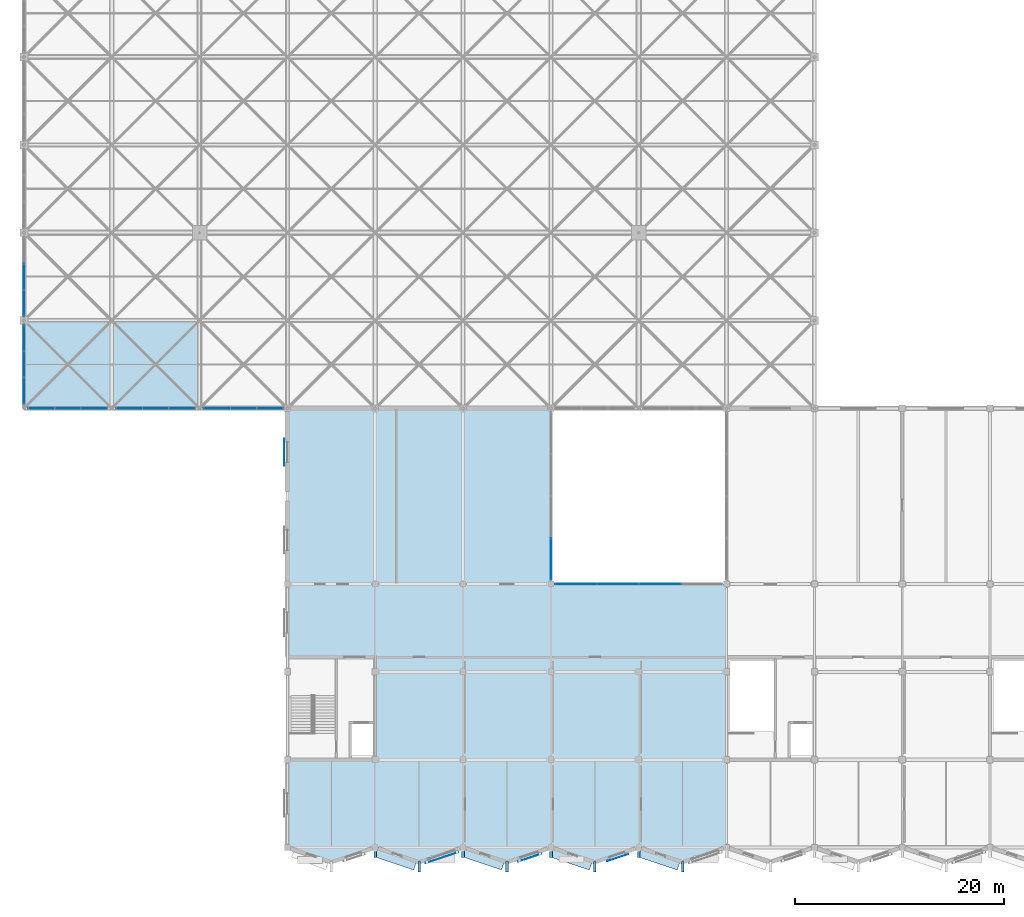
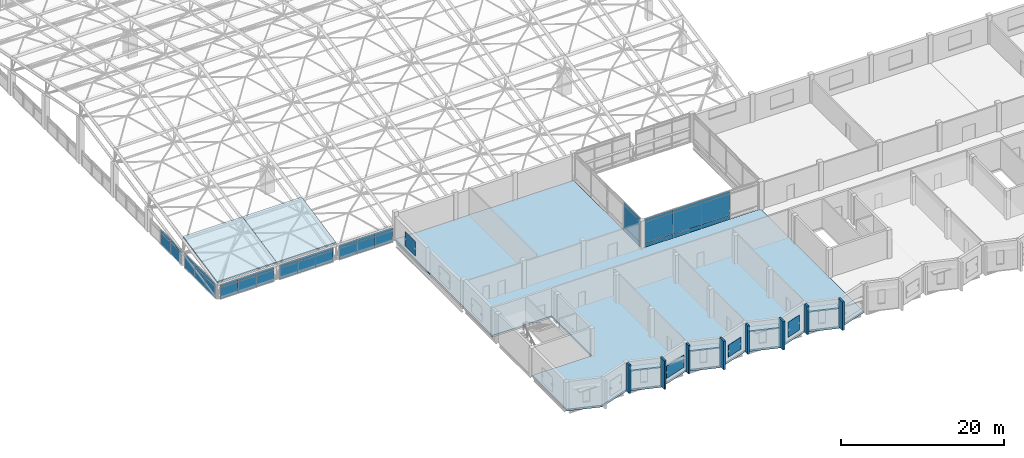
# One storey, part 67 of 81: 56 plates, 3 slabs, 7 elements without a shape of their own.
"""IFC4 building model written with IfcOpenShell, lengths in metres."""

from ifc_helpers import new_model, si_unit, direction, frame, frame_2d, origin, place, context, subcontext, project, spatial, polyline, rectangle, outline, extrude, material, layer, layer_set, type_object, element, aggregate, save


model = new_model("IFC4")

# Units and contexts
model_context = context("Model", 3, precision=1e-05, world=origin(), true_north=direction((0.0, 1.0)))
body_context = subcontext(model_context, "Body", "Model", "MODEL_VIEW")
ifc_project = project(units=[si_unit("LENGTHUNIT", "METRE"), si_unit("AREAUNIT", "SQUARE_METRE"), si_unit("VOLUMEUNIT", "CUBIC_METRE"), si_unit("PLANEANGLEUNIT", "RADIAN"), si_unit("MASSUNIT", "GRAM", prefix="KILO")], contexts=[model_context])

# Site, building, storey
site_placement = place(None, origin())
site = spatial("IfcSite", under=ifc_project, at=site_placement, CompositionType="ELEMENT")
building_placement = place(site_placement, origin())
building = spatial("IfcBuilding", under=site, at=building_placement, Name="Qawsi Khor Wholesale Market", CompositionType="ELEMENT")
storey_placement = place(building_placement, frame((0.0, 0.0, 16.199951171875)))
storey = spatial("IfcBuildingStorey", under=building, at=storey_placement, Name="L03", CompositionType="ELEMENT", Elevation=16.199951171875)

# Curtain wall, plates
ifc_material_1 = material(Name="Aluminium Anodised Bronze", Category="aluminium")
ifc_layer_1 = layer(ifc_material_1, 0.179931640625, Name="Aluminium Anodised Bronze")
ifc_layer_set_1 = layer_set([ifc_layer_1], Name="Aluminium Anodised Bronze")
curtain_wall_type_1 = type_object("IfcCurtainWallType", Name="Atrium Full-Height Curtain Wall CW-02", PredefinedType="NOTDEFINED", material=ifc_layer_set_1)
curtain_wall_1_placement = place(storey_placement, origin())
curtain_wall_1 = element("IfcCurtainWall", 1, at=curtain_wall_1_placement, inside=storey, type_object=curtain_wall_type_1, Name="Curtain wall CW-CW-02-L03-026", PredefinedType="NOTDEFINED")
ifc_material_2 = material(Name="Anodised Aluminium Spandrel", Category="aluminium")
ifc_layer_2 = layer(ifc_material_2, 0.06494140625, Name="Anodised Aluminium Spandrel")
ifc_layer_set_2 = layer_set([ifc_layer_2], Name="Anodised Aluminium Spandrel")
plate_type_1 = type_object("IfcPlateType", Name="Insulated Spandrel Panel CW-02 65mm", PredefinedType="CURTAIN_PANEL", material=ifc_layer_set_2)
plate_1_placement = place(storey_placement, frame((50.794921875, 25.199951171875, 0.005126953125), z_axis=(0.0, 0.0, 1.0), x_axis=(1.0, 0.0, 0.0)))
plate_1 = element("IfcPlate", 2, at=plate_1_placement, type_object=plate_type_1, Name="Curtain panel CW-CW-02-L03-026-P0_00", PredefinedType="CURTAIN_PANEL", context=body_context, shape_type="SweptSolid", body=[
    extrude(rectangle(XDim=4.002685546875, YDim=0.06494140625, at=frame_2d((2.00146484375, 0.0))), origin(), (0.0, 0.0, 1.0), 0.58984375),
])
plate_2_placement = place(storey_placement, frame((54.797607421875, 25.199951171875, 0.005126953125), z_axis=(0.0, 0.0, 1.0), x_axis=(1.0, 0.0, 0.0)))
plate_2 = element("IfcPlate", 3, at=plate_2_placement, type_object=plate_type_1, Name="Curtain panel CW-CW-02-L03-026-P0_01", PredefinedType="CURTAIN_PANEL", context=body_context, shape_type="SweptSolid", body=[
    extrude(rectangle(XDim=4.00244140625, YDim=0.06494140625, at=frame_2d((2.001220703125, 0.0))), origin(), (0.0, 0.0, 1.0), 0.58984375),
])
plate_3_placement = place(storey_placement, frame((58.800048828125, 25.199951171875, 0.005126953125), z_axis=(0.0, 0.0, 1.0), x_axis=(1.0, 0.0, 0.0)))
plate_3 = element("IfcPlate", 4, at=plate_3_placement, type_object=plate_type_1, Name="Curtain panel CW-CW-02-L03-026-P0_02", PredefinedType="CURTAIN_PANEL", context=body_context, shape_type="SweptSolid", body=[
    extrude(rectangle(XDim=4.00244140625, YDim=0.06494140625, at=frame_2d((2.001220703125, 0.0))), origin(), (0.0, 0.0, 1.0), 0.58984375),
])

# Curtain wall, plate
curtain_wall_2_placement = place(storey_placement, origin())
curtain_wall_2 = element("IfcCurtainWall", 5, at=curtain_wall_2_placement, inside=storey, type_object=curtain_wall_type_1, Name="Curtain wall CW-CW-02-L03-029", PredefinedType="NOTDEFINED")
plate_4_placement = place(storey_placement, frame((50.39990234375, 25.594970703125, 0.005126953125), z_axis=(0.0, 0.0, 1.0), x_axis=(0.0, 1.0, 0.0)))
plate_4 = element("IfcPlate", 6, at=plate_4_placement, type_object=plate_type_1, Name="Curtain panel CW-CW-02-L03-029-P0_00", PredefinedType="CURTAIN_PANEL", context=body_context, shape_type="SweptSolid", body=[
    extrude(rectangle(XDim=4.00244140625, YDim=0.06494140625, at=frame_2d((2.001220703125, 0.0))), origin(), (0.0, 0.0, 1.0), 0.58984375),
])

# Plates
ifc_material_3 = material(Name="Perforated Bronze-Anodised Aluminium", Category="aluminium")
ifc_layer_3 = layer(ifc_material_3, 0.02001953125, Name="Perforated Bronze-Anodised Aluminium")
ifc_layer_set_3 = layer_set([ifc_layer_3], Name="Perforated Bronze-Anodised Aluminium")
plate_type_2 = type_object("IfcPlateType", Name="Perforated Bronze Mashrabiya Screen 20mm", PredefinedType="SHEET", material=ifc_layer_set_3)
plate_5_placement = place(storey_placement, frame((24.885009765625, 36.52490234375, 0.900146484375), z_axis=(0.0, 0.0, 1.0), x_axis=(0.0, 1.0, 0.0)))
element("IfcPlate", 7, at=plate_5_placement, inside=storey, type_object=plate_type_2, Name="Solar mashrabiya screen 067", PredefinedType="SHEET", context=body_context, shape_type="SweptSolid", body=[
    extrude(rectangle(XDim=2.550048828125, YDim=0.02001953125, at=frame_2d((1.27490234375, 0.0))), origin(), (0.0, 0.0, 1.0), 2.14990234375),
])
ifc_layer_4 = layer(ifc_material_3, 0.028076171875, Name="Perforated Bronze-Anodised Aluminium")
ifc_layer_set_4 = layer_set([ifc_layer_4], Name="Perforated Bronze-Anodised Aluminium")
plate_type_3 = type_object("IfcPlateType", Name="Perforated Bronze Mashrabiya Screen 28mm", PredefinedType="SHEET", material=ifc_layer_set_4)
plate_6_placement = place(storey_placement, frame((41.55615234375, -0.448486328125, 0.85009765625), z_axis=(0.0, 0.0, 1.0), x_axis=(-0.948698092678, -0.316183378673, 0.0)))
element("IfcPlate", 8, at=plate_6_placement, inside=storey, type_object=plate_type_3, Name="Solar mashrabiya screen 042", PredefinedType="SHEET", context=body_context, shape_type="SweptSolid", body=[
    extrude(rectangle(XDim=3.300048828125, YDim=0.028076171875, at=frame_2d((1.64990234375, 0.0))), origin(), (0.0, 0.0, 1.0), 1.849853515625),
])
plate_7_placement = place(storey_placement, frame((49.4912109375, -0.603271484375, 0.85009765625), z_axis=(0.0, 0.0, 1.0), x_axis=(-0.948683298051, -0.316227766017, 0.0)))
element("IfcPlate", 9, at=plate_7_placement, inside=storey, type_object=plate_type_3, Name="Solar mashrabiya screen 043", PredefinedType="SHEET", context=body_context, shape_type="SweptSolid", body=[
    extrude(rectangle(XDim=2.320068359375, YDim=0.028076171875, at=frame_2d((1.16015625, 0.0))), origin(), (0.0, 0.0, 1.0), 1.800048828125),
])
plate_8_placement = place(storey_placement, frame((57.786865234375, -0.63818359375, 0.85009765625), z_axis=(0.0, 0.0, 1.0), x_axis=(-0.948683298051, -0.316227766017, 0.0)))
element("IfcPlate", 10, at=plate_8_placement, inside=storey, type_object=plate_type_3, Name="Solar mashrabiya screen 044", PredefinedType="SHEET", context=body_context, shape_type="SweptSolid", body=[
    extrude(rectangle(XDim=2.099853515625, YDim=0.028076171875, at=frame_2d((1.0498046875, 0.0))), origin(), (0.0, 0.0, 1.0), 2.25),
])
ifc_material_4 = material(Name="Concrete C40/50", Category="concrete")
ifc_layer_5 = layer(ifc_material_4, 0.260009765625, Name="Concrete C40/50")
ifc_layer_set_5 = layer_set([ifc_layer_5], Name="Concrete C40/50")
plate_type_4 = type_object("IfcPlateType", Name="Sculpted Concrete Solar Buttress Fin 260", PredefinedType="SHEET", material=ifc_layer_set_5)
plate_9_placement = place(storey_placement, frame((33.60009765625, -0.949951171875, 0.0), z_axis=(0.0, 0.0, 1.0), x_axis=(0.0, 1.0, 0.0)))
element("IfcPlate", 11, at=plate_9_placement, inside=storey, type_object=plate_type_4, Name="Boulevard concrete solar buttress fin L03-02", PredefinedType="SHEET", context=body_context, shape_type="SweptSolid", body=[
    extrude(rectangle(XDim=0.570068359375, YDim=0.260009765625, at=frame_2d((0.28515625, 0.0))), origin(), (0.0, 0.0, 1.0), 4.260009765625),
])
plate_10_placement = place(storey_placement, frame((37.800048828125, -2.35009765625, 0.0), z_axis=(0.0, 0.0, 1.0), x_axis=(0.0, 1.0, 0.0)))
element("IfcPlate", 12, at=plate_10_placement, inside=storey, type_object=plate_type_4, Name="Boulevard concrete solar buttress fin L03-03", PredefinedType="SHEET", context=body_context, shape_type="SweptSolid", body=[
    extrude(rectangle(XDim=1.0, YDim=0.260009765625, at=frame_2d((0.5, 0.0))), origin(), (0.0, 0.0, 1.0), 4.260009765625),
])
plate_11_placement = place(storey_placement, frame((42.0, -0.949951171875, 0.0), z_axis=(0.0, 0.0, 1.0), x_axis=(0.0, 1.0, 0.0)))
element("IfcPlate", 13, at=plate_11_placement, inside=storey, type_object=plate_type_4, Name="Boulevard concrete solar buttress fin L03-04", PredefinedType="SHEET", context=body_context, shape_type="SweptSolid", body=[
    extrude(rectangle(XDim=0.570068359375, YDim=0.260009765625, at=frame_2d((0.28515625, 0.0))), origin(), (0.0, 0.0, 1.0), 4.260009765625),
])
plate_12_placement = place(storey_placement, frame((46.199951171875, -2.35009765625, 0.0), z_axis=(0.0, 0.0, 1.0), x_axis=(0.0, 1.0, 0.0)))
element("IfcPlate", 14, at=plate_12_placement, inside=storey, type_object=plate_type_4, Name="Boulevard concrete solar buttress fin L03-05", PredefinedType="SHEET", context=body_context, shape_type="SweptSolid", body=[
    extrude(rectangle(XDim=1.0, YDim=0.260009765625, at=frame_2d((0.5, 0.0))), origin(), (0.0, 0.0, 1.0), 4.260009765625),
])
plate_13_placement = place(storey_placement, frame((50.39990234375, -0.949951171875, 0.0), z_axis=(0.0, 0.0, 1.0), x_axis=(0.0, 1.0, 0.0)))
element("IfcPlate", 15, at=plate_13_placement, inside=storey, type_object=plate_type_4, Name="Boulevard concrete solar buttress fin L03-06", PredefinedType="SHEET", context=body_context, shape_type="SweptSolid", body=[
    extrude(rectangle(XDim=0.570068359375, YDim=0.260009765625, at=frame_2d((0.28515625, 0.0))), origin(), (0.0, 0.0, 1.0), 4.260009765625),
])
plate_14_placement = place(storey_placement, frame((54.60009765625, -2.35009765625, 0.0), z_axis=(0.0, 0.0, 1.0), x_axis=(0.0, 1.0, 0.0)))
element("IfcPlate", 16, at=plate_14_placement, inside=storey, type_object=plate_type_4, Name="Boulevard concrete solar buttress fin L03-07", PredefinedType="SHEET", context=body_context, shape_type="SweptSolid", body=[
    extrude(rectangle(XDim=1.0, YDim=0.260009765625, at=frame_2d((0.5, 0.0))), origin(), (0.0, 0.0, 1.0), 4.260009765625),
])
plate_15_placement = place(storey_placement, frame((58.800048828125, -0.949951171875, 0.0), z_axis=(0.0, 0.0, 1.0), x_axis=(0.0, 1.0, 0.0)))
element("IfcPlate", 17, at=plate_15_placement, inside=storey, type_object=plate_type_4, Name="Boulevard concrete solar buttress fin L03-08", PredefinedType="SHEET", context=body_context, shape_type="SweptSolid", body=[
    extrude(rectangle(XDim=0.570068359375, YDim=0.260009765625, at=frame_2d((0.28515625, 0.0))), origin(), (0.0, 0.0, 1.0), 4.260009765625),
])
plate_16_placement = place(storey_placement, frame((63.0, -2.35009765625, 0.0), z_axis=(0.0, 0.0, 1.0), x_axis=(0.0, 1.0, 0.0)))
element("IfcPlate", 18, at=plate_16_placement, inside=storey, type_object=plate_type_4, Name="Boulevard concrete solar buttress fin L03-09", PredefinedType="SHEET", context=body_context, shape_type="SweptSolid", body=[
    extrude(rectangle(XDim=1.0, YDim=0.260009765625, at=frame_2d((0.5, 0.0))), origin(), (0.0, 0.0, 1.0), 4.260009765625),
])
ifc_layer_6 = layer(ifc_material_4, 0.949951171875, Name="Concrete C40/50")
ifc_layer_set_6 = layer_set([ifc_layer_6], Name="Concrete C40/50")
plate_type_5 = type_object("IfcPlateType", Name="Sculpted Concrete Sun-Hood Canopy 950", PredefinedType="SHEET", material=ifc_layer_set_6)
for number, where, z_axis, x_axis, name in (
    (19, (33.710693359375, -0.45849609375, 3.25), (0.0, 0.0, 1.0), (0.94867708111, -0.316246416226, 0.0), "Sculpted concrete sun-hood L03-03"),
    (20, (42.110595703125, -0.45849609375, 3.25), (0.0, 0.0, 1.0), (0.94867708111, -0.316246416226, 0.0), "Sculpted concrete sun-hood L03-05"),
    (21, (50.5107421875, -0.45849609375, 3.25), (0.0, 0.0, 1.0), (0.94867708111, -0.316246416226, 0.0), "Sculpted concrete sun-hood L03-07"),
    (22, (58.91064453125, -0.45849609375, 3.25), (0.0, 0.0, 1.0), (0.94867708111, -0.316246416226, 0.0), "Sculpted concrete sun-hood L03-09"),
):
    element("IfcPlate", number, at=place(storey_placement, frame(where, z_axis=z_axis, x_axis=x_axis)), inside=storey, type_object=plate_type_5, Name=name, PredefinedType="SHEET", context=body_context, shape_type="SweptSolid", body=[
        extrude(rectangle(XDim=3.92724609375, YDim=0.949951171875, at=frame_2d((1.963623046875, 0.0))), origin(), (0.0, 0.0, 1.0), 0.18994140625),
    ])

# Slabs
ifc_layer_7 = layer(ifc_material_4, 0.2099609375, Name="Concrete C40/50")
ifc_layer_set_7 = layer_set([ifc_layer_7], Name="Concrete C40/50")
slab_type_1 = type_object("IfcSlabType", Name="Sloped Insulated Roof Deck 210", PredefinedType="ROOF", material=ifc_layer_set_7)
slab_1_placement = place(storey_placement, frame((0.0, 42.0, 2.449951171875), z_axis=(0.0, -0.198383615716, 0.9801244518), x_axis=(1.0, 0.0, 0.0)))
element("IfcSlab", 23, at=slab_1_placement, inside=storey, type_object=slab_type_1, Name="Space frame roof deck WH (0,5)", PredefinedType="ROOF", context=body_context, shape_type="SweptSolid", body=[
    extrude(outline(polyline([(0.0, 0.0), (8.39990234375, 0.0), (8.39990234375, 8.570240573355203), (0.0, 8.570240573355203), (0.0, 0.0)])), origin(), (0.0, 0.0, -1.0), 0.2099609375),
])
slab_2_placement = place(storey_placement, frame((8.39990234375, 42.0, 2.449951171875), z_axis=(0.0, -0.198383615716, 0.9801244518), x_axis=(1.0, 0.0, 0.0)))
element("IfcSlab", 24, at=slab_2_placement, inside=storey, type_object=slab_type_1, Name="Space frame roof deck WH (1,5)", PredefinedType="ROOF", context=body_context, shape_type="SweptSolid", body=[
    extrude(outline(polyline([(0.0, 0.0), (8.400146484375, 0.0), (8.400146484375, 8.570240573355203), (0.0, 8.570240573355203), (0.0, 0.0)])), origin(), (0.0, 0.0, -1.0), 0.2099609375),
])

# Plate
ifc_material_5 = material(Name="Tempered Low-E Solar Glass", Category="glass")
ifc_layer_8 = layer(ifc_material_5, 0.031982421875, Name="Tempered Low-E Solar Glass")
ifc_layer_set_8 = layer_set([ifc_layer_8], Name="Tempered Low-E Solar Glass")
plate_type_6 = type_object("IfcPlateType", Name="Solar Double-Glazed Unit CW-02 32mm", PredefinedType="CURTAIN_PANEL", material=ifc_layer_set_8)
plate_17_placement = place(storey_placement, frame((50.794921875, 25.199951171875, 0.60498046875), z_axis=(0.0, 0.0, 1.0), x_axis=(1.0, 0.0, 0.0)))
plate_17 = element("IfcPlate", 25, at=plate_17_placement, type_object=plate_type_6, Name="Curtain panel CW-CW-02-L03-026-P1_00", PredefinedType="CURTAIN_PANEL", context=body_context, shape_type="SweptSolid", body=[
    extrude(rectangle(XDim=4.002685546875, YDim=0.031982421875, at=frame_2d((2.00146484375, 0.0))), origin(), (0.0, 0.0, 1.0), 3.199951171875),
])

plate_18_placement = place(storey_placement, frame((54.797607421875, 25.199951171875, 0.60498046875), z_axis=(0.0, 0.0, 1.0), x_axis=(1.0, 0.0, 0.0)))
plate_18 = element("IfcPlate", 26, at=plate_18_placement, type_object=plate_type_6, Name="Curtain panel CW-CW-02-L03-026-P1_01", PredefinedType="CURTAIN_PANEL", context=body_context, shape_type="SweptSolid", body=[
    extrude(rectangle(XDim=4.00244140625, YDim=0.031982421875, at=frame_2d((2.001220703125, 0.0))), origin(), (0.0, 0.0, 1.0), 3.199951171875),
])

plate_19_placement = place(storey_placement, frame((58.800048828125, 25.199951171875, 0.60498046875), z_axis=(0.0, 0.0, 1.0), x_axis=(1.0, 0.0, 0.0)))
plate_19 = element("IfcPlate", 27, at=plate_19_placement, type_object=plate_type_6, Name="Curtain panel CW-CW-02-L03-026-P1_02", PredefinedType="CURTAIN_PANEL", context=body_context, shape_type="SweptSolid", body=[
    extrude(rectangle(XDim=4.00244140625, YDim=0.031982421875, at=frame_2d((2.001220703125, 0.0))), origin(), (0.0, 0.0, 1.0), 3.199951171875),
])

plate_20_placement = place(storey_placement, frame((50.794921875, 25.199951171875, 3.81494140625), z_axis=(0.0, 0.0, 1.0), x_axis=(1.0, 0.0, 0.0)))
plate_20 = element("IfcPlate", 28, at=plate_20_placement, type_object=plate_type_6, Name="Curtain panel CW-CW-02-L03-026-P2_00", PredefinedType="CURTAIN_PANEL", context=body_context, shape_type="SweptSolid", body=[
    extrude(rectangle(XDim=4.002685546875, YDim=0.031982421875, at=frame_2d((2.00146484375, 0.0))), origin(), (0.0, 0.0, 1.0), 0.440185546875),
])

plate_21_placement = place(storey_placement, frame((54.797607421875, 25.199951171875, 3.81494140625), z_axis=(0.0, 0.0, 1.0), x_axis=(1.0, 0.0, 0.0)))
plate_21 = element("IfcPlate", 29, at=plate_21_placement, type_object=plate_type_6, Name="Curtain panel CW-CW-02-L03-026-P2_01", PredefinedType="CURTAIN_PANEL", context=body_context, shape_type="SweptSolid", body=[
    extrude(rectangle(XDim=4.00244140625, YDim=0.031982421875, at=frame_2d((2.001220703125, 0.0))), origin(), (0.0, 0.0, 1.0), 0.440185546875),
])

plate_22_placement = place(storey_placement, frame((58.800048828125, 25.199951171875, 3.81494140625), z_axis=(0.0, 0.0, 1.0), x_axis=(1.0, 0.0, 0.0)))
plate_22 = element("IfcPlate", 30, at=plate_22_placement, type_object=plate_type_6, Name="Curtain panel CW-CW-02-L03-026-P2_02", PredefinedType="CURTAIN_PANEL", context=body_context, shape_type="SweptSolid", body=[
    extrude(rectangle(XDim=4.00244140625, YDim=0.031982421875, at=frame_2d((2.001220703125, 0.0))), origin(), (0.0, 0.0, 1.0), 0.440185546875),
])

aggregate(curtain_wall_1, [plate_1, plate_2, plate_3, plate_17, plate_18, plate_19, plate_20, plate_21, plate_22])

plate_23_placement = place(storey_placement, frame((50.39990234375, 25.594970703125, 0.60498046875), z_axis=(0.0, 0.0, 1.0), x_axis=(0.0, 1.0, 0.0)))
plate_23 = element("IfcPlate", 31, at=plate_23_placement, type_object=plate_type_6, Name="Curtain panel CW-CW-02-L03-029-P1_00", PredefinedType="CURTAIN_PANEL", context=body_context, shape_type="SweptSolid", body=[
    extrude(rectangle(XDim=4.00244140625, YDim=0.031982421875, at=frame_2d((2.001220703125, 0.0))), origin(), (0.0, 0.0, 1.0), 3.199951171875),
])

plate_24_placement = place(storey_placement, frame((50.39990234375, 25.594970703125, 3.81494140625), z_axis=(0.0, 0.0, 1.0), x_axis=(0.0, 1.0, 0.0)))
plate_24 = element("IfcPlate", 32, at=plate_24_placement, type_object=plate_type_6, Name="Curtain panel CW-CW-02-L03-029-P2_00", PredefinedType="CURTAIN_PANEL", context=body_context, shape_type="SweptSolid", body=[
    extrude(rectangle(XDim=4.00244140625, YDim=0.031982421875, at=frame_2d((2.001220703125, 0.0))), origin(), (0.0, 0.0, 1.0), 0.440185546875),
])

aggregate(curtain_wall_2, [plate_4, plate_23, plate_24])

# Curtain wall, plates
ifc_layer_9 = layer(ifc_material_1, 0.199951171875, Name="Aluminium Anodised Bronze")
ifc_layer_set_9 = layer_set([ifc_layer_9], Name="Aluminium Anodised Bronze")
curtain_wall_type_2 = type_object("IfcCurtainWallType", Name="Trading Hall North-Light Curtain Wall CW-03", PredefinedType="NOTDEFINED", material=ifc_layer_set_9)
curtain_wall_3_placement = place(storey_placement, origin())
curtain_wall_3 = element("IfcCurtainWall", 33, at=curtain_wall_3_placement, inside=storey, type_object=curtain_wall_type_2, Name="Curtain wall CW-CW-03-L03-117", PredefinedType="NOTDEFINED")
ifc_layer_10 = layer(ifc_material_5, 0.0419921875, Name="Tempered Low-E Solar Glass")
ifc_layer_set_10 = layer_set([ifc_layer_10], Name="Tempered Low-E Solar Glass")
plate_type_7 = type_object("IfcPlateType", Name="Solar Double-Glazed Unit CW-03 42mm", PredefinedType="CURTAIN_PANEL", material=ifc_layer_set_10)
plate_25_placement = place(storey_placement, frame((0.422607421875, 42.0, -0.27490234375), z_axis=(0.0, 0.0, 1.0), x_axis=(1.0, 0.0, 0.0)))
plate_25 = element("IfcPlate", 34, at=plate_25_placement, type_object=plate_type_7, Name="Curtain panel CW-CW-03-L03-117-P0_00", PredefinedType="CURTAIN_PANEL", context=body_context, shape_type="SweptSolid", body=[
    extrude(rectangle(XDim=2.518310546875, YDim=0.0419921875, at=frame_2d((1.25927734375, 0.0))), origin(), (0.0, 0.0, 1.0), 1.719970703125),
])
plate_26_placement = place(storey_placement, frame((2.94091796875, 42.0, -0.27490234375), z_axis=(0.0, 0.0, 1.0), x_axis=(1.0, 0.0, 0.0)))
plate_26 = element("IfcPlate", 35, at=plate_26_placement, type_object=plate_type_7, Name="Curtain panel CW-CW-03-L03-117-P0_01", PredefinedType="CURTAIN_PANEL", context=body_context, shape_type="SweptSolid", body=[
    extrude(rectangle(XDim=2.518310546875, YDim=0.0419921875, at=frame_2d((1.25927734375, 0.0))), origin(), (0.0, 0.0, 1.0), 1.719970703125),
])
plate_27_placement = place(storey_placement, frame((5.459228515625, 42.0, -0.27490234375), z_axis=(0.0, 0.0, 1.0), x_axis=(1.0, 0.0, 0.0)))
plate_27 = element("IfcPlate", 36, at=plate_27_placement, type_object=plate_type_7, Name="Curtain panel CW-CW-03-L03-117-P0_02", PredefinedType="CURTAIN_PANEL", context=body_context, shape_type="SweptSolid", body=[
    extrude(rectangle(XDim=2.518310546875, YDim=0.0419921875, at=frame_2d((1.25927734375, 0.0))), origin(), (0.0, 0.0, 1.0), 1.719970703125),
])
plate_28_placement = place(storey_placement, frame((0.422607421875, 42.0, 1.455078125), z_axis=(0.0, 0.0, 1.0), x_axis=(1.0, 0.0, 0.0)))
plate_28 = element("IfcPlate", 37, at=plate_28_placement, type_object=plate_type_7, Name="Curtain panel CW-CW-03-L03-117-P1_00", PredefinedType="CURTAIN_PANEL", context=body_context, shape_type="SweptSolid", body=[
    extrude(rectangle(XDim=2.518310546875, YDim=0.0419921875, at=frame_2d((1.25927734375, 0.0))), origin(), (0.0, 0.0, 1.0), 0.43994140625),
])
plate_29_placement = place(storey_placement, frame((2.94091796875, 42.0, 1.455078125), z_axis=(0.0, 0.0, 1.0), x_axis=(1.0, 0.0, 0.0)))
plate_29 = element("IfcPlate", 38, at=plate_29_placement, type_object=plate_type_7, Name="Curtain panel CW-CW-03-L03-117-P1_01", PredefinedType="CURTAIN_PANEL", context=body_context, shape_type="SweptSolid", body=[
    extrude(rectangle(XDim=2.518310546875, YDim=0.0419921875, at=frame_2d((1.25927734375, 0.0))), origin(), (0.0, 0.0, 1.0), 0.43994140625),
])
plate_30_placement = place(storey_placement, frame((5.459228515625, 42.0, 1.455078125), z_axis=(0.0, 0.0, 1.0), x_axis=(1.0, 0.0, 0.0)))
plate_30 = element("IfcPlate", 39, at=plate_30_placement, type_object=plate_type_7, Name="Curtain panel CW-CW-03-L03-117-P1_02", PredefinedType="CURTAIN_PANEL", context=body_context, shape_type="SweptSolid", body=[
    extrude(rectangle(XDim=2.518310546875, YDim=0.0419921875, at=frame_2d((1.25927734375, 0.0))), origin(), (0.0, 0.0, 1.0), 0.43994140625),
])
aggregate(curtain_wall_3, [plate_25, plate_26, plate_27, plate_28, plate_29, plate_30])

curtain_wall_4_placement = place(storey_placement, origin())
curtain_wall_4 = element("IfcCurtainWall", 40, at=curtain_wall_4_placement, inside=storey, type_object=curtain_wall_type_2, Name="Curtain wall CW-CW-03-L03-118", PredefinedType="NOTDEFINED")
plate_31_placement = place(storey_placement, frame((8.822509765625, 42.0, -0.27490234375), z_axis=(0.0, 0.0, 1.0), x_axis=(1.0, 0.0, 0.0)))
plate_31 = element("IfcPlate", 41, at=plate_31_placement, type_object=plate_type_7, Name="Curtain panel CW-CW-03-L03-118-P0_00", PredefinedType="CURTAIN_PANEL", context=body_context, shape_type="SweptSolid", body=[
    extrude(rectangle(XDim=2.518310546875, YDim=0.0419921875, at=frame_2d((1.25927734375, 0.0))), origin(), (0.0, 0.0, 1.0), 1.719970703125),
])
plate_32_placement = place(storey_placement, frame((11.3408203125, 42.0, -0.27490234375), z_axis=(0.0, 0.0, 1.0), x_axis=(1.0, 0.0, 0.0)))
plate_32 = element("IfcPlate", 42, at=plate_32_placement, type_object=plate_type_7, Name="Curtain panel CW-CW-03-L03-118-P0_01", PredefinedType="CURTAIN_PANEL", context=body_context, shape_type="SweptSolid", body=[
    extrude(rectangle(XDim=2.518310546875, YDim=0.0419921875, at=frame_2d((1.25927734375, 0.0))), origin(), (0.0, 0.0, 1.0), 1.719970703125),
])
plate_33_placement = place(storey_placement, frame((13.859130859375, 42.0, -0.27490234375), z_axis=(0.0, 0.0, 1.0), x_axis=(1.0, 0.0, 0.0)))
plate_33 = element("IfcPlate", 43, at=plate_33_placement, type_object=plate_type_7, Name="Curtain panel CW-CW-03-L03-118-P0_02", PredefinedType="CURTAIN_PANEL", context=body_context, shape_type="SweptSolid", body=[
    extrude(rectangle(XDim=2.518310546875, YDim=0.0419921875, at=frame_2d((1.25927734375, 0.0))), origin(), (0.0, 0.0, 1.0), 1.719970703125),
])
plate_34_placement = place(storey_placement, frame((8.822509765625, 42.0, 1.455078125), z_axis=(0.0, 0.0, 1.0), x_axis=(1.0, 0.0, 0.0)))
plate_34 = element("IfcPlate", 44, at=plate_34_placement, type_object=plate_type_7, Name="Curtain panel CW-CW-03-L03-118-P1_00", PredefinedType="CURTAIN_PANEL", context=body_context, shape_type="SweptSolid", body=[
    extrude(rectangle(XDim=2.518310546875, YDim=0.0419921875, at=frame_2d((1.25927734375, 0.0))), origin(), (0.0, 0.0, 1.0), 0.43994140625),
])
plate_35_placement = place(storey_placement, frame((11.3408203125, 42.0, 1.455078125), z_axis=(0.0, 0.0, 1.0), x_axis=(1.0, 0.0, 0.0)))
plate_35 = element("IfcPlate", 45, at=plate_35_placement, type_object=plate_type_7, Name="Curtain panel CW-CW-03-L03-118-P1_01", PredefinedType="CURTAIN_PANEL", context=body_context, shape_type="SweptSolid", body=[
    extrude(rectangle(XDim=2.518310546875, YDim=0.0419921875, at=frame_2d((1.25927734375, 0.0))), origin(), (0.0, 0.0, 1.0), 0.43994140625),
])
plate_36_placement = place(storey_placement, frame((13.859130859375, 42.0, 1.455078125), z_axis=(0.0, 0.0, 1.0), x_axis=(1.0, 0.0, 0.0)))
plate_36 = element("IfcPlate", 46, at=plate_36_placement, type_object=plate_type_7, Name="Curtain panel CW-CW-03-L03-118-P1_02", PredefinedType="CURTAIN_PANEL", context=body_context, shape_type="SweptSolid", body=[
    extrude(rectangle(XDim=2.518310546875, YDim=0.0419921875, at=frame_2d((1.25927734375, 0.0))), origin(), (0.0, 0.0, 1.0), 0.43994140625),
])
aggregate(curtain_wall_4, [plate_31, plate_32, plate_33, plate_34, plate_35, plate_36])

curtain_wall_5_placement = place(storey_placement, origin())
curtain_wall_5 = element("IfcCurtainWall", 47, at=curtain_wall_5_placement, inside=storey, type_object=curtain_wall_type_2, Name="Curtain wall CW-CW-03-L03-119", PredefinedType="NOTDEFINED")
plate_37_placement = place(storey_placement, frame((17.222412109375, 42.0, -0.27490234375), z_axis=(0.0, 0.0, 1.0), x_axis=(1.0, 0.0, 0.0)))
plate_37 = element("IfcPlate", 48, at=plate_37_placement, type_object=plate_type_7, Name="Curtain panel CW-CW-03-L03-119-P0_00", PredefinedType="CURTAIN_PANEL", context=body_context, shape_type="SweptSolid", body=[
    extrude(rectangle(XDim=2.52685546875, YDim=0.0419921875, at=frame_2d((1.263427734375, 0.0))), origin(), (0.0, 0.0, 1.0), 1.719970703125),
])
plate_38_placement = place(storey_placement, frame((19.749267578125, 42.0, -0.27490234375), z_axis=(0.0, 0.0, 1.0), x_axis=(1.0, 0.0, 0.0)))
plate_38 = element("IfcPlate", 49, at=plate_38_placement, type_object=plate_type_7, Name="Curtain panel CW-CW-03-L03-119-P0_01", PredefinedType="CURTAIN_PANEL", context=body_context, shape_type="SweptSolid", body=[
    extrude(rectangle(XDim=2.526611328125, YDim=0.0419921875, at=frame_2d((1.26318359375, 0.0))), origin(), (0.0, 0.0, 1.0), 1.719970703125),
])
plate_39_placement = place(storey_placement, frame((22.27587890625, 42.0, -0.27490234375), z_axis=(0.0, 0.0, 1.0), x_axis=(1.0, 0.0, 0.0)))
plate_39 = element("IfcPlate", 50, at=plate_39_placement, type_object=plate_type_7, Name="Curtain panel CW-CW-03-L03-119-P0_02", PredefinedType="CURTAIN_PANEL", context=body_context, shape_type="SweptSolid", body=[
    extrude(rectangle(XDim=2.526611328125, YDim=0.0419921875, at=frame_2d((1.26318359375, 0.0))), origin(), (0.0, 0.0, 1.0), 1.719970703125),
])
plate_40_placement = place(storey_placement, frame((17.222412109375, 42.0, 1.455078125), z_axis=(0.0, 0.0, 1.0), x_axis=(1.0, 0.0, 0.0)))
plate_40 = element("IfcPlate", 51, at=plate_40_placement, type_object=plate_type_7, Name="Curtain panel CW-CW-03-L03-119-P1_00", PredefinedType="CURTAIN_PANEL", context=body_context, shape_type="SweptSolid", body=[
    extrude(rectangle(XDim=2.52685546875, YDim=0.0419921875, at=frame_2d((1.263427734375, 0.0))), origin(), (0.0, 0.0, 1.0), 0.43994140625),
])
plate_41_placement = place(storey_placement, frame((19.749267578125, 42.0, 1.455078125), z_axis=(0.0, 0.0, 1.0), x_axis=(1.0, 0.0, 0.0)))
plate_41 = element("IfcPlate", 52, at=plate_41_placement, type_object=plate_type_7, Name="Curtain panel CW-CW-03-L03-119-P1_01", PredefinedType="CURTAIN_PANEL", context=body_context, shape_type="SweptSolid", body=[
    extrude(rectangle(XDim=2.526611328125, YDim=0.0419921875, at=frame_2d((1.26318359375, 0.0))), origin(), (0.0, 0.0, 1.0), 0.43994140625),
])
plate_42_placement = place(storey_placement, frame((22.27587890625, 42.0, 1.455078125), z_axis=(0.0, 0.0, 1.0), x_axis=(1.0, 0.0, 0.0)))
plate_42 = element("IfcPlate", 53, at=plate_42_placement, type_object=plate_type_7, Name="Curtain panel CW-CW-03-L03-119-P1_02", PredefinedType="CURTAIN_PANEL", context=body_context, shape_type="SweptSolid", body=[
    extrude(rectangle(XDim=2.526611328125, YDim=0.0419921875, at=frame_2d((1.26318359375, 0.0))), origin(), (0.0, 0.0, 1.0), 0.43994140625),
])
aggregate(curtain_wall_5, [plate_37, plate_38, plate_39, plate_40, plate_41, plate_42])

curtain_wall_6_placement = place(storey_placement, origin())
curtain_wall_6 = element("IfcCurtainWall", 54, at=curtain_wall_6_placement, inside=storey, type_object=curtain_wall_type_2, Name="Curtain wall CW-CW-03-L03-129", PredefinedType="NOTDEFINED")
plate_43_placement = place(storey_placement, frame((0.0, 42.422607421875, -0.27490234375), z_axis=(0.0, 0.0, 1.0), x_axis=(0.0, 1.0, 0.0)))
plate_43 = element("IfcPlate", 55, at=plate_43_placement, type_object=plate_type_7, Name="Curtain panel CW-CW-03-L03-129-P0_00", PredefinedType="CURTAIN_PANEL", context=body_context, shape_type="SweptSolid", body=[
    extrude(rectangle(XDim=2.518310546875, YDim=0.0419921875, at=frame_2d((1.25927734375, 0.0))), origin(), (0.0, 0.0, 1.0), 1.719970703125),
])
plate_44_placement = place(storey_placement, frame((0.0, 44.94091796875, -0.27490234375), z_axis=(0.0, 0.0, 1.0), x_axis=(0.0, 1.0, 0.0)))
plate_44 = element("IfcPlate", 56, at=plate_44_placement, type_object=plate_type_7, Name="Curtain panel CW-CW-03-L03-129-P0_01", PredefinedType="CURTAIN_PANEL", context=body_context, shape_type="SweptSolid", body=[
    extrude(rectangle(XDim=2.518310546875, YDim=0.0419921875, at=frame_2d((1.25927734375, 0.0))), origin(), (0.0, 0.0, 1.0), 1.719970703125),
])
plate_45_placement = place(storey_placement, frame((0.0, 47.459228515625, -0.27490234375), z_axis=(0.0, 0.0, 1.0), x_axis=(0.0, 1.0, 0.0)))
plate_45 = element("IfcPlate", 57, at=plate_45_placement, type_object=plate_type_7, Name="Curtain panel CW-CW-03-L03-129-P0_02", PredefinedType="CURTAIN_PANEL", context=body_context, shape_type="SweptSolid", body=[
    extrude(rectangle(XDim=2.518310546875, YDim=0.0419921875, at=frame_2d((1.25927734375, 0.0))), origin(), (0.0, 0.0, 1.0), 1.719970703125),
])
plate_46_placement = place(storey_placement, frame((0.0, 42.422607421875, 1.455078125), z_axis=(0.0, 0.0, 1.0), x_axis=(0.0, 1.0, 0.0)))
plate_46 = element("IfcPlate", 58, at=plate_46_placement, type_object=plate_type_7, Name="Curtain panel CW-CW-03-L03-129-P1_00", PredefinedType="CURTAIN_PANEL", context=body_context, shape_type="SweptSolid", body=[
    extrude(rectangle(XDim=2.518310546875, YDim=0.0419921875, at=frame_2d((1.25927734375, 0.0))), origin(), (0.0, 0.0, 1.0), 0.43994140625),
])
plate_47_placement = place(storey_placement, frame((0.0, 44.94091796875, 1.455078125), z_axis=(0.0, 0.0, 1.0), x_axis=(0.0, 1.0, 0.0)))
plate_47 = element("IfcPlate", 59, at=plate_47_placement, type_object=plate_type_7, Name="Curtain panel CW-CW-03-L03-129-P1_01", PredefinedType="CURTAIN_PANEL", context=body_context, shape_type="SweptSolid", body=[
    extrude(rectangle(XDim=2.518310546875, YDim=0.0419921875, at=frame_2d((1.25927734375, 0.0))), origin(), (0.0, 0.0, 1.0), 0.43994140625),
])
plate_48_placement = place(storey_placement, frame((0.0, 47.459228515625, 1.455078125), z_axis=(0.0, 0.0, 1.0), x_axis=(0.0, 1.0, 0.0)))
plate_48 = element("IfcPlate", 60, at=plate_48_placement, type_object=plate_type_7, Name="Curtain panel CW-CW-03-L03-129-P1_02", PredefinedType="CURTAIN_PANEL", context=body_context, shape_type="SweptSolid", body=[
    extrude(rectangle(XDim=2.518310546875, YDim=0.0419921875, at=frame_2d((1.25927734375, 0.0))), origin(), (0.0, 0.0, 1.0), 0.43994140625),
])
aggregate(curtain_wall_6, [plate_43, plate_44, plate_45, plate_46, plate_47, plate_48])

curtain_wall_7_placement = place(storey_placement, origin())
curtain_wall_7 = element("IfcCurtainWall", 61, at=curtain_wall_7_placement, inside=storey, type_object=curtain_wall_type_2, Name="Curtain wall CW-CW-03-L03-131", PredefinedType="NOTDEFINED")
plate_49_placement = place(storey_placement, frame((0.0, 50.822509765625, -0.27490234375), z_axis=(0.0, 0.0, 1.0), x_axis=(0.0, 1.0, 0.0)))
plate_49 = element("IfcPlate", 62, at=plate_49_placement, type_object=plate_type_7, Name="Curtain panel CW-CW-03-L03-131-P0_00", PredefinedType="CURTAIN_PANEL", context=body_context, shape_type="SweptSolid", body=[
    extrude(rectangle(XDim=2.518310546875, YDim=0.0419921875, at=frame_2d((1.25927734375, 0.0))), origin(), (0.0, 0.0, 1.0), 1.719970703125),
])
plate_50_placement = place(storey_placement, frame((0.0, 53.3408203125, -0.27490234375), z_axis=(0.0, 0.0, 1.0), x_axis=(0.0, 1.0, 0.0)))
plate_50 = element("IfcPlate", 63, at=plate_50_placement, type_object=plate_type_7, Name="Curtain panel CW-CW-03-L03-131-P0_01", PredefinedType="CURTAIN_PANEL", context=body_context, shape_type="SweptSolid", body=[
    extrude(rectangle(XDim=2.518310546875, YDim=0.0419921875, at=frame_2d((1.25927734375, 0.0))), origin(), (0.0, 0.0, 1.0), 1.719970703125),
])
plate_51_placement = place(storey_placement, frame((0.0, 50.822509765625, 1.455078125), z_axis=(0.0, 0.0, 1.0), x_axis=(0.0, 1.0, 0.0)))
plate_51 = element("IfcPlate", 64, at=plate_51_placement, type_object=plate_type_7, Name="Curtain panel CW-CW-03-L03-131-P1_00", PredefinedType="CURTAIN_PANEL", context=body_context, shape_type="SweptSolid", body=[
    extrude(rectangle(XDim=2.518310546875, YDim=0.0419921875, at=frame_2d((1.25927734375, 0.0))), origin(), (0.0, 0.0, 1.0), 0.43994140625),
])
plate_52_placement = place(storey_placement, frame((0.0, 53.3408203125, 1.455078125), z_axis=(0.0, 0.0, 1.0), x_axis=(0.0, 1.0, 0.0)))
plate_52 = element("IfcPlate", 65, at=plate_52_placement, type_object=plate_type_7, Name="Curtain panel CW-CW-03-L03-131-P1_01", PredefinedType="CURTAIN_PANEL", context=body_context, shape_type="SweptSolid", body=[
    extrude(rectangle(XDim=2.518310546875, YDim=0.0419921875, at=frame_2d((1.25927734375, 0.0))), origin(), (0.0, 0.0, 1.0), 0.43994140625),
])
aggregate(curtain_wall_7, [plate_49, plate_50, plate_51, plate_52])

# Slab
ifc_layer_11 = layer(ifc_material_4, 0.280029296875, Name="Concrete C40/50")
ifc_layer_set_11 = layer_set([ifc_layer_11], Name="Concrete C40/50")
slab_type_2 = type_object("IfcSlabType", Name="Suspended Floor Slab 280 C40/50", PredefinedType="FLOOR", material=ifc_layer_set_11)
slab_3_placement = place(storey_placement, frame((0.0, 0.0, -0.280029296875)))
element("IfcSlab", 66, at=slab_3_placement, inside=storey, type_object=slab_type_2, Name="SLB-L03-SWING-1", PredefinedType="FLOOR", context=body_context, shape_type="SweptSolid", body=[
    extrude(outline(polyline([(25.199951171875, 8.39990234375), (33.60009765625, 8.39990234375), (33.60009765625, 18.199951171875), (25.199951171875, 18.199951171875), (25.199951171875, 42.0), (50.39990234375, 42.0), (50.39990234375, 25.199951171875), (67.199951171875, 25.199951171875), (67.199951171875, 18.199951171875), (67.199951171875, 8.39990234375), (67.199951171875, 0.0), (63.0, -1.39990234375), (58.800048828125, 0.0), (54.60009765625, -1.39990234375), (50.39990234375, 0.0), (46.199951171875, -1.39990234375), (42.0, 0.0), (37.800048828125, -1.39990234375), (33.60009765625, 0.0), (29.39990234375, -1.39990234375), (25.199951171875, 0.0), (25.199951171875, 8.39990234375)])), origin(), (0.0, 0.0, 1.0), 0.280029296875),
])

save(model, "model.ifc")
